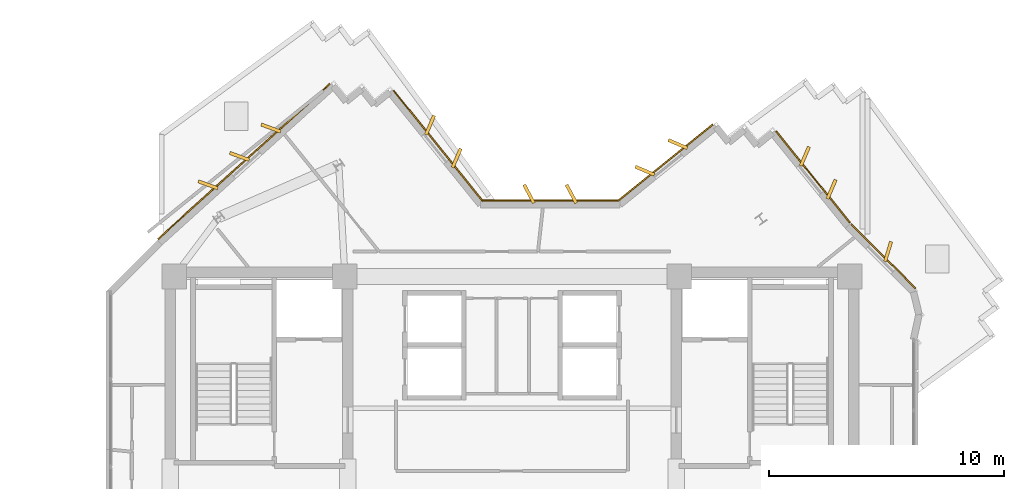
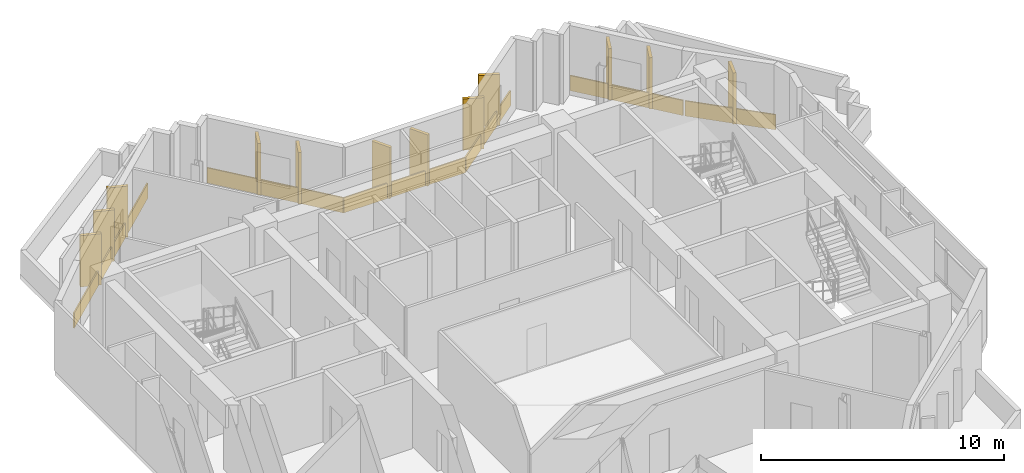
# One storey, part 12 of 12: 18 coverings.
"""IFC4 building model written with IfcOpenShell, lengths in metres."""

from ifc_helpers import new_model, si_unit, direction, frame, origin, origin_2d, place, context, subcontext, project, spatial, rectangle, extrude, source, transform, mapped, material, layer, layer_set, type_object, element, save


model = new_model("IFC4")

# Units and contexts
model_context = context("Model", 3, precision=1e-05, world=origin(), true_north=direction((0.0, 1.0)))
body_context = subcontext(model_context, "Body", "Model", "MODEL_VIEW")
ifc_project = project(units=[si_unit("LENGTHUNIT", "METRE"), si_unit("AREAUNIT", "SQUARE_METRE"), si_unit("VOLUMEUNIT", "CUBIC_METRE"), si_unit("PLANEANGLEUNIT", "RADIAN"), si_unit("MASSUNIT", "GRAM", prefix="KILO")], contexts=[model_context])

# Site, building, storey
site_placement = place(None, origin())
site = spatial("IfcSite", under=ifc_project, at=site_placement, CompositionType="ELEMENT")
building_placement = place(site_placement, origin())
building = spatial("IfcBuilding", under=site, at=building_placement, Name="Zahravan Cultural Tower", CompositionType="ELEMENT")
storey_placement = place(building_placement, frame((0.0, 0.0, 280.35009765625)))
storey = spatial("IfcBuildingStorey", under=building, at=storey_placement, Name="L67", CompositionType="ELEMENT", Elevation=280.35009765625)

# Coverings
ifc_material = material(Name="Terracotta ceramic cladding", Category="masonry")
ifc_layer = layer(ifc_material, 0.06005859375)
ifc_layer_set = layer_set([ifc_layer], Name="Terracotta ceramic cladding")
covering_type = type_object("IfcCoveringType", Name="COV-CLAD-TC60", PredefinedType="CLADDING", material=ifc_layer_set)
shared_shape_1 = source(origin(), body_context, "Body", "SweptSolid", [
    extrude(rectangle(XDim=0.8798828125, YDim=0.139892578125, at=origin_2d()), origin(), (0.0, 0.0, 1.0), 2.580078125),
])
for number, where, z_axis, x_axis, name in (
    (1, (23.0869140625, 40.09375, 0.0498046875), (0.0, 0.0, 1.0), (-0.939984776614, 0.34121638257, 0.0), "L67 Herringbone Terracotta Fin 01"),
    (2, (24.42333984375, 41.29931640625, 0.0498046875), (0.0, 0.0, 1.0), (-0.939984776614, 0.34121638257, 0.0), "L67 Herringbone Terracotta Fin 02"),
    (3, (25.760009765625, 42.5048828125, 0.0498046875), (0.0, 0.0, 1.0), (-0.939984776614, 0.34121638257, 0.0), "L67 Herringbone Terracotta Fin 03"),
    (4, (32.517578125, 42.631591796875, 0.0498046875), (0.0, 0.0, 1.0), (0.392064182806, 0.919937865598, 0.0), "L67 Herringbone Terracotta Fin 04"),
    (5, (33.648193359375, 41.231201171875, 0.0498046875), (0.0, 0.0, 1.0), (0.392064182806, 0.919937865598, 0.0), "L67 Herringbone Terracotta Fin 05"),
    (6, (36.72216796875, 39.7099609375, 0.0498046875), (0.0, 0.0, 1.0), (-0.469471562786, 0.882947592859, 0.0), "L67 Herringbone Terracotta Fin 06"),
    (7, (38.522216796875, 39.7099609375, 0.0498046875), (0.0, 0.0, 1.0), (-0.469471562786, 0.882947592859, 0.0), "L67 Herringbone Terracotta Fin 07"),
    (8, (41.6435546875, 40.694580078125, 0.0498046875), (0.0, 0.0, 1.0), (-0.919937865598, 0.392064182806, 0.0), "L67 Herringbone Terracotta Fin 08"),
    (9, (43.0439453125, 41.8251953125, 0.0498046875), (0.0, 0.0, 1.0), (-0.919937865598, 0.392064182806, 0.0), "L67 Herringbone Terracotta Fin 09"),
    (10, (48.44482421875, 41.306396484375, 0.0498046875), (0.0, 0.0, 1.0), (0.392064182806, 0.919937865598, 0.0), "L67 Herringbone Terracotta Fin 10"),
    (11, (49.57568359375, 39.906005859375, 0.0498046875), (0.0, 0.0, 1.0), (0.392064182806, 0.919937865598, 0.0), "L67 Herringbone Terracotta Fin 11"),
    (12, (51.97802734375, 37.26025390625, 0.0498046875), (0.0, 0.0, 1.0), (0.292371704723, 0.956304755963, 0.0), "L67 Herringbone Terracotta Fin 12"),
):
    element("IfcCovering", number, at=place(storey_placement, frame(where, z_axis=z_axis, x_axis=x_axis)), inside=storey, type_object=covering_type, Name=name, PredefinedType="CLADDING", context=body_context, shape_type="MappedRepresentation", body=[
        mapped(shared_shape_1, transform((0.0, 0.0, 0.0), x_axis=(1.0, 0.0, 0.0), y_axis=(0.0, 1.0, 0.0), z_axis=(0.0, 0.0, 1.0), scale=1.0)),
    ])
shared_shape_2 = source(origin(), body_context, "Body", "SweptSolid", [
    extrude(rectangle(XDim=9.8349609375, YDim=0.06005859375, at=origin_2d()), origin(), (0.0, 0.0, 1.0), 0.760009765625),
])
covering_1_placement = place(storey_placement, frame((24.6142578125, 41.087646484375, 0.02001953125), z_axis=(0.0, 0.0, 1.0), x_axis=(0.742572305706, 0.669765907462, 0.0)))
element("IfcCovering", 13, at=covering_1_placement, inside=storey, type_object=covering_type, Name="L67 Terracotta Spandrel Cladding 02", PredefinedType="CLADDING", context=body_context, shape_type="MappedRepresentation", body=[
    mapped(shared_shape_2, transform((0.0, 0.0, 0.0), x_axis=(1.0, 0.0, 0.0), y_axis=(0.0, 1.0, 0.0), z_axis=(0.0, 0.0, 1.0), scale=1.0)),
])
shared_shape_3 = source(origin(), body_context, "Body", "SweptSolid", [
    extrude(rectangle(XDim=6.0400390625, YDim=0.06005859375, at=origin_2d()), origin(), (0.0, 0.0, 1.0), 0.760009765625),
])
covering_2_placement = place(storey_placement, frame((32.861083984375, 41.752197265625, 0.02001953125), z_axis=(0.0, 0.0, 1.0), x_axis=(0.628193939395, -0.778056793883, 0.0)))
element("IfcCovering", 14, at=covering_2_placement, inside=storey, type_object=covering_type, Name="L67 Terracotta Spandrel Cladding 07", PredefinedType="CLADDING", context=body_context, shape_type="MappedRepresentation", body=[
    mapped(shared_shape_3, transform((0.0, 0.0, 0.0), x_axis=(1.0, 0.0, 0.0), y_axis=(0.0, 1.0, 0.0), z_axis=(0.0, 0.0, 1.0), scale=1.0)),
])
shared_shape_4 = source(origin(), body_context, "Body", "SweptSolid", [
    extrude(rectangle(XDim=5.82177734375, YDim=0.06005859375, at=origin_2d()), origin(), (0.0, 0.0, 1.0), 0.760009765625),
])
covering_3_placement = place(storey_placement, frame((37.6220703125, 39.425048828125, 0.02001953125), z_axis=(0.0, 0.0, 1.0), x_axis=(1.0, 0.0, 0.0)))
element("IfcCovering", 15, at=covering_3_placement, inside=storey, type_object=covering_type, Name="L67 Terracotta Spandrel Cladding 08", PredefinedType="CLADDING", context=body_context, shape_type="MappedRepresentation", body=[
    mapped(shared_shape_4, transform((0.0, 0.0, 0.0), x_axis=(1.0, 0.0, 0.0), y_axis=(0.0, 1.0, 0.0), z_axis=(0.0, 0.0, 1.0), scale=1.0)),
])
shared_shape_5 = source(origin(), body_context, "Body", "SweptSolid", [
    extrude(rectangle(XDim=5.152587890625, YDim=0.06005859375, at=origin_2d()), origin(), (0.0, 0.0, 1.0), 0.760009765625),
])
covering_4_placement = place(storey_placement, frame((42.522705078125, 41.0380859375, 0.02001953125), z_axis=(0.0, 0.0, 1.0), x_axis=(0.778056793883, 0.628193939395, 0.0)))
element("IfcCovering", 16, at=covering_4_placement, inside=storey, type_object=covering_type, Name="L67 Terracotta Spandrel Cladding 09", PredefinedType="CLADDING", context=body_context, shape_type="MappedRepresentation", body=[
    mapped(shared_shape_5, transform((0.0, 0.0, 0.0), x_axis=(1.0, 0.0, 0.0), y_axis=(0.0, 1.0, 0.0), z_axis=(0.0, 0.0, 1.0), scale=1.0)),
])
shared_shape_6 = source(origin(), body_context, "Body", "SweptSolid", [
    extrude(rectangle(XDim=4.992919921875, YDim=0.06005859375, at=origin_2d()), origin(), (0.0, 0.0, 1.0), 0.760009765625),
])
covering_5_placement = place(storey_placement, frame((48.788330078125, 40.42724609375, 0.02001953125), z_axis=(0.0, 0.0, 1.0), x_axis=(0.628193939395, -0.778056793883, 0.0)))
element("IfcCovering", 17, at=covering_5_placement, inside=storey, type_object=covering_type, Name="L67 Terracotta Spandrel Cladding 14", PredefinedType="CLADDING", context=body_context, shape_type="MappedRepresentation", body=[
    mapped(shared_shape_6, transform((0.0, 0.0, 0.0), x_axis=(1.0, 0.0, 0.0), y_axis=(0.0, 1.0, 0.0), z_axis=(0.0, 0.0, 1.0), scale=1.0)),
])
shared_shape_7 = source(origin(), body_context, "Body", "SweptSolid", [
    extrude(rectangle(XDim=3.860107421875, YDim=0.06005859375, at=origin_2d()), origin(), (0.0, 0.0, 1.0), 0.760009765625),
])
covering_6_placement = place(storey_placement, frame((51.776611328125, 37.058837890625, 0.02001953125), z_axis=(0.0, 0.0, 1.0), x_axis=(0.707106781187, -0.707106781187, 0.0)))
element("IfcCovering", 18, at=covering_6_placement, inside=storey, type_object=covering_type, Name="L67 Terracotta Spandrel Cladding 15", PredefinedType="CLADDING", context=body_context, shape_type="MappedRepresentation", body=[
    mapped(shared_shape_7, transform((0.0, 0.0, 0.0), x_axis=(1.0, 0.0, 0.0), y_axis=(0.0, 1.0, 0.0), z_axis=(0.0, 0.0, 1.0), scale=1.0)),
])

save(model, "model.ifc")
